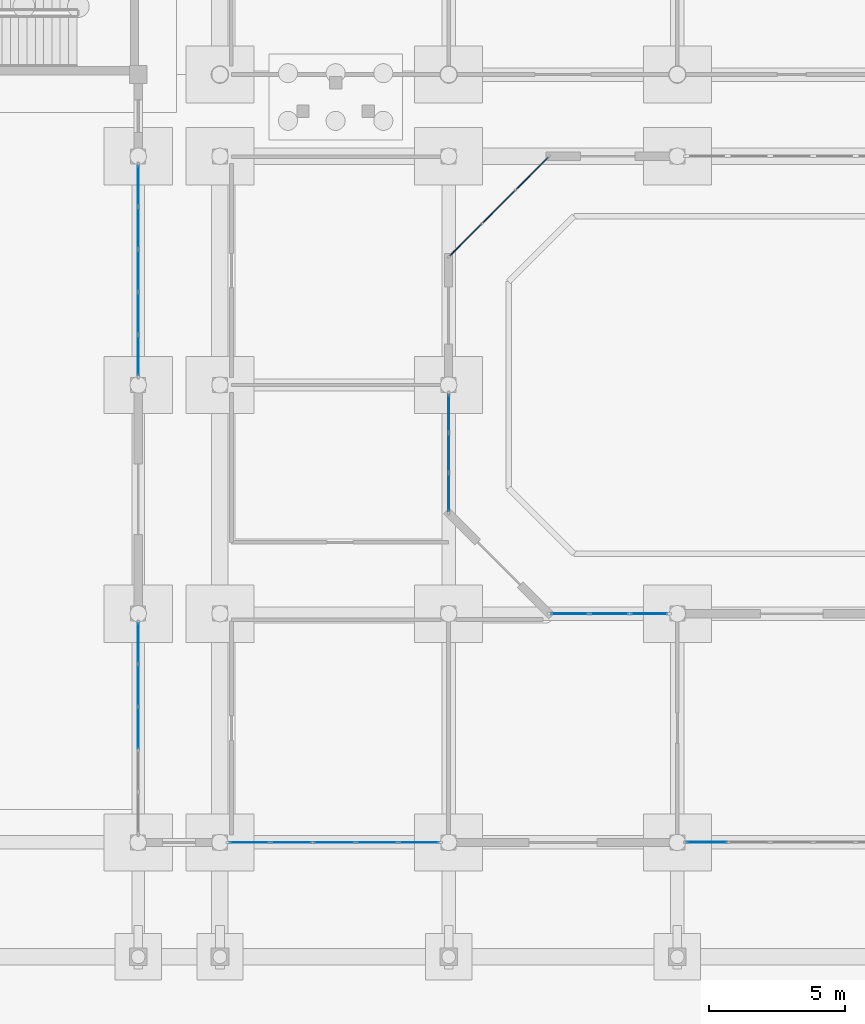
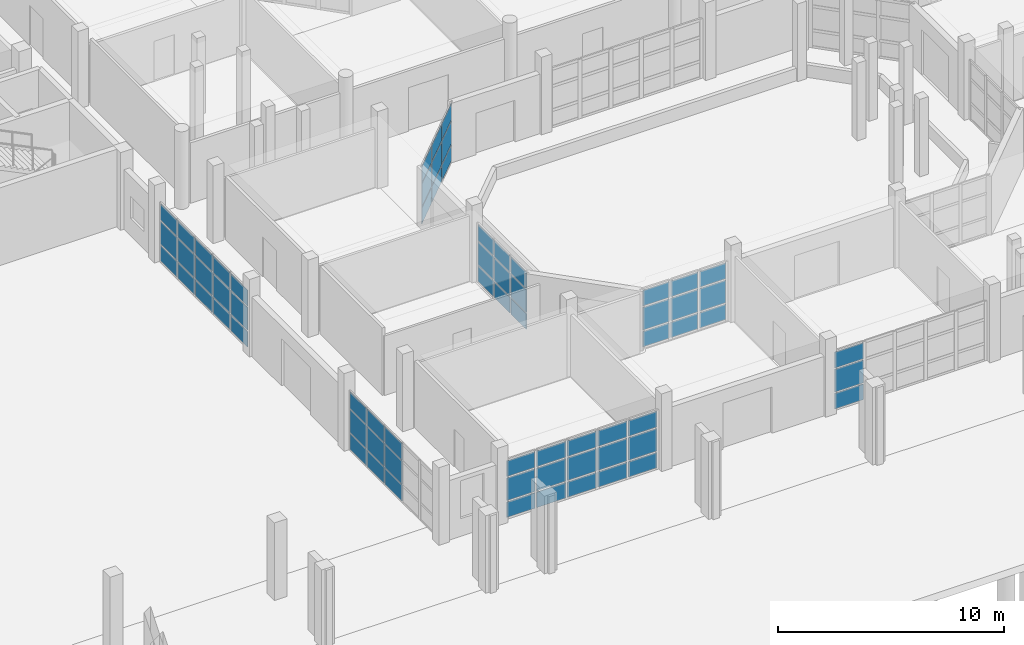
# One storey, part 44 of 88: 69 plates, 7 elements without a shape of their own.
"""IFC4 building model written with IfcOpenShell, lengths in metres."""

from ifc_helpers import new_model, si_unit, direction, frame, origin, origin_2d, place, context, subcontext, project, spatial, rectangle, extrude, material, layer, layer_set, type_object, element, aggregate, save


model = new_model("IFC4")

# Units and contexts
model_context = context("Model", 3, precision=1e-05, world=origin(), true_north=direction((0.0, 1.0)))
body_context = subcontext(model_context, "Body", "Model", "MODEL_VIEW")
ifc_project = project(units=[si_unit("LENGTHUNIT", "METRE"), si_unit("AREAUNIT", "SQUARE_METRE"), si_unit("VOLUMEUNIT", "CUBIC_METRE"), si_unit("PLANEANGLEUNIT", "RADIAN"), si_unit("MASSUNIT", "GRAM", prefix="KILO")], contexts=[model_context])

# Site, building, storey
site_placement = place(None, origin())
site = spatial("IfcSite", under=ifc_project, at=site_placement, CompositionType="ELEMENT")
building_placement = place(site_placement, origin())
building = spatial("IfcBuilding", under=site, at=building_placement, Name="Vanh Quang Courtyard School", CompositionType="ELEMENT")
storey_placement = place(building_placement, origin())
storey = spatial("IfcBuildingStorey", under=building, at=storey_placement, Name="L00", CompositionType="ELEMENT", Elevation=0.0)

# Curtain wall, plates
ifc_material_1 = material(Name="Thermally broken aluminium unitised curtain wall", Category="aluminium")
curtain_wall_type_1 = type_object("IfcCurtainWallType", Name="CW-SYS-01", PredefinedType="NOTDEFINED", material=ifc_material_1)
curtain_wall_1_placement = place(storey_placement, origin())
curtain_wall_1 = element("IfcCurtainWall", 1, at=curtain_wall_1_placement, inside=storey, type_object=curtain_wall_type_1, Name="Curtain Wall CW-01 (L00)", PredefinedType="NOTDEFINED")
ifc_material_2 = material(Name="Low-E laminated double glazing", Category="glass")
ifc_layer_1 = layer(ifc_material_2, 0.028076171875)
ifc_layer_set_1 = layer_set([ifc_layer_1], Name="Low-E laminated double glazing")
plate_type_1 = type_object("IfcPlateType", Name="CW-PNL-28", PredefinedType="CURTAIN_PANEL", material=ifc_layer_set_1)
plate_1_placement = place(storey_placement, frame((84.713623046875, 4.199951171875, 0.080078125), z_axis=(0.0, 0.0, 1.0), x_axis=(-1.0, 0.0, 0.0)))
plate_1 = element("IfcPlate", 2, at=plate_1_placement, type_object=plate_type_1, Name="CW-01 panel 1.1", PredefinedType="CURTAIN_PANEL", context=body_context, shape_type="SweptSolid", body=[
    extrude(rectangle(XDim=1.44677734375, YDim=0.028076171875, at=origin_2d()), origin(), (0.0, 0.0, 1.0), 0.830078125),
])
plate_2_placement = place(storey_placement, frame((84.713623046875, 4.199951171875, 0.990234375), z_axis=(0.0, 0.0, 1.0), x_axis=(-1.0, 0.0, 0.0)))
plate_2 = element("IfcPlate", 3, at=plate_2_placement, type_object=plate_type_1, Name="CW-01 panel 1.2", PredefinedType="CURTAIN_PANEL", context=body_context, shape_type="SweptSolid", body=[
    extrude(rectangle(XDim=1.44677734375, YDim=0.028076171875, at=origin_2d()), origin(), (0.0, 0.0, 1.0), 1.219970703125),
])
plate_3_placement = place(storey_placement, frame((84.713623046875, 4.199951171875, 2.2900390625), z_axis=(0.0, 0.0, 1.0), x_axis=(-1.0, 0.0, 0.0)))
plate_3 = element("IfcPlate", 4, at=plate_3_placement, type_object=plate_type_1, Name="CW-01 panel 1.3", PredefinedType="CURTAIN_PANEL", context=body_context, shape_type="SweptSolid", body=[
    extrude(rectangle(XDim=1.44677734375, YDim=0.028076171875, at=origin_2d()), origin(), (0.0, 0.0, 1.0), 0.85009765625),
])
plate_4_placement = place(storey_placement, frame((83.166748046875, 4.199951171875, 0.080078125), z_axis=(0.0, 0.0, 1.0), x_axis=(-1.0, 0.0, 0.0)))
plate_4 = element("IfcPlate", 5, at=plate_4_placement, type_object=plate_type_1, Name="CW-01 panel 2.1", PredefinedType="CURTAIN_PANEL", context=body_context, shape_type="SweptSolid", body=[
    extrude(rectangle(XDim=1.48681640625, YDim=0.028076171875, at=origin_2d()), origin(), (0.0, 0.0, 1.0), 0.830078125),
])
plate_5_placement = place(storey_placement, frame((83.166748046875, 4.199951171875, 0.990234375), z_axis=(0.0, 0.0, 1.0), x_axis=(-1.0, 0.0, 0.0)))
plate_5 = element("IfcPlate", 6, at=plate_5_placement, type_object=plate_type_1, Name="CW-01 panel 2.2", PredefinedType="CURTAIN_PANEL", context=body_context, shape_type="SweptSolid", body=[
    extrude(rectangle(XDim=1.48681640625, YDim=0.028076171875, at=origin_2d()), origin(), (0.0, 0.0, 1.0), 1.219970703125),
])
plate_6_placement = place(storey_placement, frame((83.166748046875, 4.199951171875, 2.2900390625), z_axis=(0.0, 0.0, 1.0), x_axis=(-1.0, 0.0, 0.0)))
plate_6 = element("IfcPlate", 7, at=plate_6_placement, type_object=plate_type_1, Name="CW-01 panel 2.3", PredefinedType="CURTAIN_PANEL", context=body_context, shape_type="SweptSolid", body=[
    extrude(rectangle(XDim=1.48681640625, YDim=0.028076171875, at=origin_2d()), origin(), (0.0, 0.0, 1.0), 0.85009765625),
])
plate_7_placement = place(storey_placement, frame((81.60009765625, 4.199951171875, 0.080078125), z_axis=(0.0, 0.0, 1.0), x_axis=(-1.0, 0.0, 0.0)))
plate_7 = element("IfcPlate", 8, at=plate_7_placement, type_object=plate_type_1, Name="CW-01 panel 3.1", PredefinedType="CURTAIN_PANEL", context=body_context, shape_type="SweptSolid", body=[
    extrude(rectangle(XDim=1.48681640625, YDim=0.028076171875, at=origin_2d()), origin(), (0.0, 0.0, 1.0), 0.830078125),
])
plate_8_placement = place(storey_placement, frame((81.60009765625, 4.199951171875, 0.990234375), z_axis=(0.0, 0.0, 1.0), x_axis=(-1.0, 0.0, 0.0)))
plate_8 = element("IfcPlate", 9, at=plate_8_placement, type_object=plate_type_1, Name="CW-01 panel 3.2", PredefinedType="CURTAIN_PANEL", context=body_context, shape_type="SweptSolid", body=[
    extrude(rectangle(XDim=1.48681640625, YDim=0.028076171875, at=origin_2d()), origin(), (0.0, 0.0, 1.0), 1.219970703125),
])
plate_9_placement = place(storey_placement, frame((81.60009765625, 4.199951171875, 2.2900390625), z_axis=(0.0, 0.0, 1.0), x_axis=(-1.0, 0.0, 0.0)))
plate_9 = element("IfcPlate", 10, at=plate_9_placement, type_object=plate_type_1, Name="CW-01 panel 3.3", PredefinedType="CURTAIN_PANEL", context=body_context, shape_type="SweptSolid", body=[
    extrude(rectangle(XDim=1.48681640625, YDim=0.028076171875, at=origin_2d()), origin(), (0.0, 0.0, 1.0), 0.85009765625),
])
plate_10_placement = place(storey_placement, frame((80.033203125, 4.199951171875, 0.080078125), z_axis=(0.0, 0.0, 1.0), x_axis=(-1.0, 0.0, 0.0)))
plate_10 = element("IfcPlate", 11, at=plate_10_placement, type_object=plate_type_1, Name="CW-01 panel 4.1", PredefinedType="CURTAIN_PANEL", context=body_context, shape_type="SweptSolid", body=[
    extrude(rectangle(XDim=1.48681640625, YDim=0.028076171875, at=origin_2d()), origin(), (0.0, 0.0, 1.0), 0.830078125),
])
plate_11_placement = place(storey_placement, frame((80.033203125, 4.199951171875, 0.990234375), z_axis=(0.0, 0.0, 1.0), x_axis=(-1.0, 0.0, 0.0)))
plate_11 = element("IfcPlate", 12, at=plate_11_placement, type_object=plate_type_1, Name="CW-01 panel 4.2", PredefinedType="CURTAIN_PANEL", context=body_context, shape_type="SweptSolid", body=[
    extrude(rectangle(XDim=1.48681640625, YDim=0.028076171875, at=origin_2d()), origin(), (0.0, 0.0, 1.0), 1.219970703125),
])
plate_12_placement = place(storey_placement, frame((80.033203125, 4.199951171875, 2.2900390625), z_axis=(0.0, 0.0, 1.0), x_axis=(-1.0, 0.0, 0.0)))
plate_12 = element("IfcPlate", 13, at=plate_12_placement, type_object=plate_type_1, Name="CW-01 panel 4.3", PredefinedType="CURTAIN_PANEL", context=body_context, shape_type="SweptSolid", body=[
    extrude(rectangle(XDim=1.48681640625, YDim=0.028076171875, at=origin_2d()), origin(), (0.0, 0.0, 1.0), 0.85009765625),
])
plate_13_placement = place(storey_placement, frame((78.486328125, 4.199951171875, 0.080078125), z_axis=(0.0, 0.0, 1.0), x_axis=(-1.0, 0.0, 0.0)))
plate_13 = element("IfcPlate", 14, at=plate_13_placement, type_object=plate_type_1, Name="CW-01 panel 5.1", PredefinedType="CURTAIN_PANEL", context=body_context, shape_type="SweptSolid", body=[
    extrude(rectangle(XDim=1.44677734375, YDim=0.028076171875, at=origin_2d()), origin(), (0.0, 0.0, 1.0), 0.830078125),
])
plate_14_placement = place(storey_placement, frame((78.486328125, 4.199951171875, 0.990234375), z_axis=(0.0, 0.0, 1.0), x_axis=(-1.0, 0.0, 0.0)))
plate_14 = element("IfcPlate", 15, at=plate_14_placement, type_object=plate_type_1, Name="CW-01 panel 5.2", PredefinedType="CURTAIN_PANEL", context=body_context, shape_type="SweptSolid", body=[
    extrude(rectangle(XDim=1.44677734375, YDim=0.028076171875, at=origin_2d()), origin(), (0.0, 0.0, 1.0), 1.219970703125),
])
plate_15_placement = place(storey_placement, frame((78.486328125, 4.199951171875, 2.2900390625), z_axis=(0.0, 0.0, 1.0), x_axis=(-1.0, 0.0, 0.0)))
plate_15 = element("IfcPlate", 16, at=plate_15_placement, type_object=plate_type_1, Name="CW-01 panel 5.3", PredefinedType="CURTAIN_PANEL", context=body_context, shape_type="SweptSolid", body=[
    extrude(rectangle(XDim=1.44677734375, YDim=0.028076171875, at=origin_2d()), origin(), (0.0, 0.0, 1.0), 0.85009765625),
])
aggregate(curtain_wall_1, [plate_1, plate_2, plate_3, plate_4, plate_5, plate_6, plate_7, plate_8, plate_9, plate_10, plate_11, plate_12, plate_13, plate_14, plate_15])

curtain_wall_2_placement = place(storey_placement, origin())
curtain_wall_2 = element("IfcCurtainWall", 17, at=curtain_wall_2_placement, inside=storey, type_object=curtain_wall_type_1, Name="Curtain Wall CW-01 (L00)", PredefinedType="NOTDEFINED")
plate_16_placement = place(storey_placement, frame((74.39990234375, 22.083984375, 0.06982421875), z_axis=(0.0, 0.0, 1.0), x_axis=(0.0, 1.0, 0.0)))
plate_16 = element("IfcPlate", 18, at=plate_16_placement, type_object=plate_type_1, Name="CW-01 panel 1.1", PredefinedType="CURTAIN_PANEL", context=body_context, shape_type="SweptSolid", body=[
    extrude(rectangle(XDim=1.4619140625, YDim=0.028076171875, at=origin_2d()), origin(), (0.0, 0.0, 1.0), 0.844970703125),
])
plate_17_placement = place(storey_placement, frame((74.39990234375, 22.083984375, 0.985107421875), z_axis=(0.0, 0.0, 1.0), x_axis=(0.0, 1.0, 0.0)))
plate_17 = element("IfcPlate", 19, at=plate_17_placement, type_object=plate_type_1, Name="CW-01 panel 1.2", PredefinedType="CURTAIN_PANEL", context=body_context, shape_type="SweptSolid", body=[
    extrude(rectangle(XDim=1.4619140625, YDim=0.028076171875, at=origin_2d()), origin(), (0.0, 0.0, 1.0), 1.22998046875),
])
plate_18_placement = place(storey_placement, frame((74.39990234375, 22.083984375, 2.28515625), z_axis=(0.0, 0.0, 1.0), x_axis=(0.0, 1.0, 0.0)))
plate_18 = element("IfcPlate", 20, at=plate_18_placement, type_object=plate_type_1, Name="CW-01 panel 1.3", PredefinedType="CURTAIN_PANEL", context=body_context, shape_type="SweptSolid", body=[
    extrude(rectangle(XDim=1.4619140625, YDim=0.028076171875, at=origin_2d()), origin(), (0.0, 0.0, 1.0), 0.864990234375),
])
plate_19_placement = place(storey_placement, frame((74.39990234375, 23.63330078125, 0.06982421875), z_axis=(0.0, 0.0, 1.0), x_axis=(0.0, 1.0, 0.0)))
plate_19 = element("IfcPlate", 21, at=plate_19_placement, type_object=plate_type_1, Name="CW-01 panel 2.1", PredefinedType="CURTAIN_PANEL", context=body_context, shape_type="SweptSolid", body=[
    extrude(rectangle(XDim=1.496826171875, YDim=0.028076171875, at=origin_2d()), origin(), (0.0, 0.0, 1.0), 0.844970703125),
])
plate_20_placement = place(storey_placement, frame((74.39990234375, 23.63330078125, 0.985107421875), z_axis=(0.0, 0.0, 1.0), x_axis=(0.0, 1.0, 0.0)))
plate_20 = element("IfcPlate", 22, at=plate_20_placement, type_object=plate_type_1, Name="CW-01 panel 2.2", PredefinedType="CURTAIN_PANEL", context=body_context, shape_type="SweptSolid", body=[
    extrude(rectangle(XDim=1.496826171875, YDim=0.028076171875, at=origin_2d()), origin(), (0.0, 0.0, 1.0), 1.22998046875),
])
plate_21_placement = place(storey_placement, frame((74.39990234375, 23.63330078125, 2.28515625), z_axis=(0.0, 0.0, 1.0), x_axis=(0.0, 1.0, 0.0)))
plate_21 = element("IfcPlate", 23, at=plate_21_placement, type_object=plate_type_1, Name="CW-01 panel 2.3", PredefinedType="CURTAIN_PANEL", context=body_context, shape_type="SweptSolid", body=[
    extrude(rectangle(XDim=1.496826171875, YDim=0.028076171875, at=origin_2d()), origin(), (0.0, 0.0, 1.0), 0.864990234375),
])
plate_22_placement = place(storey_placement, frame((74.39990234375, 25.199951171875, 0.06982421875), z_axis=(0.0, 0.0, 1.0), x_axis=(0.0, 1.0, 0.0)))
plate_22 = element("IfcPlate", 24, at=plate_22_placement, type_object=plate_type_1, Name="CW-01 panel 3.1", PredefinedType="CURTAIN_PANEL", context=body_context, shape_type="SweptSolid", body=[
    extrude(rectangle(XDim=1.496826171875, YDim=0.028076171875, at=origin_2d()), origin(), (0.0, 0.0, 1.0), 0.844970703125),
])
plate_23_placement = place(storey_placement, frame((74.39990234375, 25.199951171875, 0.985107421875), z_axis=(0.0, 0.0, 1.0), x_axis=(0.0, 1.0, 0.0)))
plate_23 = element("IfcPlate", 25, at=plate_23_placement, type_object=plate_type_1, Name="CW-01 panel 3.2", PredefinedType="CURTAIN_PANEL", context=body_context, shape_type="SweptSolid", body=[
    extrude(rectangle(XDim=1.496826171875, YDim=0.028076171875, at=origin_2d()), origin(), (0.0, 0.0, 1.0), 1.22998046875),
])
plate_24_placement = place(storey_placement, frame((74.39990234375, 25.199951171875, 2.28515625), z_axis=(0.0, 0.0, 1.0), x_axis=(0.0, 1.0, 0.0)))
plate_24 = element("IfcPlate", 26, at=plate_24_placement, type_object=plate_type_1, Name="CW-01 panel 3.3", PredefinedType="CURTAIN_PANEL", context=body_context, shape_type="SweptSolid", body=[
    extrude(rectangle(XDim=1.496826171875, YDim=0.028076171875, at=origin_2d()), origin(), (0.0, 0.0, 1.0), 0.864990234375),
])
plate_25_placement = place(storey_placement, frame((74.39990234375, 26.766845703125, 0.06982421875), z_axis=(0.0, 0.0, 1.0), x_axis=(0.0, 1.0, 0.0)))
plate_25 = element("IfcPlate", 27, at=plate_25_placement, type_object=plate_type_1, Name="CW-01 panel 4.1", PredefinedType="CURTAIN_PANEL", context=body_context, shape_type="SweptSolid", body=[
    extrude(rectangle(XDim=1.496826171875, YDim=0.028076171875, at=origin_2d()), origin(), (0.0, 0.0, 1.0), 0.844970703125),
])
plate_26_placement = place(storey_placement, frame((74.39990234375, 26.766845703125, 0.985107421875), z_axis=(0.0, 0.0, 1.0), x_axis=(0.0, 1.0, 0.0)))
plate_26 = element("IfcPlate", 28, at=plate_26_placement, type_object=plate_type_1, Name="CW-01 panel 4.2", PredefinedType="CURTAIN_PANEL", context=body_context, shape_type="SweptSolid", body=[
    extrude(rectangle(XDim=1.496826171875, YDim=0.028076171875, at=origin_2d()), origin(), (0.0, 0.0, 1.0), 1.22998046875),
])
plate_27_placement = place(storey_placement, frame((74.39990234375, 26.766845703125, 2.28515625), z_axis=(0.0, 0.0, 1.0), x_axis=(0.0, 1.0, 0.0)))
plate_27 = element("IfcPlate", 29, at=plate_27_placement, type_object=plate_type_1, Name="CW-01 panel 4.3", PredefinedType="CURTAIN_PANEL", context=body_context, shape_type="SweptSolid", body=[
    extrude(rectangle(XDim=1.496826171875, YDim=0.028076171875, at=origin_2d()), origin(), (0.0, 0.0, 1.0), 0.864990234375),
])
plate_28_placement = place(storey_placement, frame((74.39990234375, 28.316162109375, 0.06982421875), z_axis=(0.0, 0.0, 1.0), x_axis=(0.0, 1.0, 0.0)))
plate_28 = element("IfcPlate", 30, at=plate_28_placement, type_object=plate_type_1, Name="CW-01 panel 5.1", PredefinedType="CURTAIN_PANEL", context=body_context, shape_type="SweptSolid", body=[
    extrude(rectangle(XDim=1.4619140625, YDim=0.028076171875, at=origin_2d()), origin(), (0.0, 0.0, 1.0), 0.844970703125),
])
plate_29_placement = place(storey_placement, frame((74.39990234375, 28.316162109375, 0.985107421875), z_axis=(0.0, 0.0, 1.0), x_axis=(0.0, 1.0, 0.0)))
plate_29 = element("IfcPlate", 31, at=plate_29_placement, type_object=plate_type_1, Name="CW-01 panel 5.2", PredefinedType="CURTAIN_PANEL", context=body_context, shape_type="SweptSolid", body=[
    extrude(rectangle(XDim=1.4619140625, YDim=0.028076171875, at=origin_2d()), origin(), (0.0, 0.0, 1.0), 1.22998046875),
])
plate_30_placement = place(storey_placement, frame((74.39990234375, 28.316162109375, 2.28515625), z_axis=(0.0, 0.0, 1.0), x_axis=(0.0, 1.0, 0.0)))
plate_30 = element("IfcPlate", 32, at=plate_30_placement, type_object=plate_type_1, Name="CW-01 panel 5.3", PredefinedType="CURTAIN_PANEL", context=body_context, shape_type="SweptSolid", body=[
    extrude(rectangle(XDim=1.4619140625, YDim=0.028076171875, at=origin_2d()), origin(), (0.0, 0.0, 1.0), 0.864990234375),
])
aggregate(curtain_wall_2, [plate_16, plate_17, plate_18, plate_19, plate_20, plate_21, plate_22, plate_23, plate_24, plate_25, plate_26, plate_27, plate_28, plate_29, plate_30])

curtain_wall_type_2 = type_object("IfcCurtainWallType", Name="CW-SYS-09", PredefinedType="NOTDEFINED", material=ifc_material_1)
curtain_wall_3_placement = place(storey_placement, origin())
curtain_wall_3 = element("IfcCurtainWall", 33, at=curtain_wall_3_placement, inside=storey, type_object=curtain_wall_type_2, Name="Curtain Wall CW-09 (L00)", PredefinedType="NOTDEFINED")
plate_31_placement = place(storey_placement, frame((88.869384765625, 28.7734375, 0.06005859375), z_axis=(0.0, 0.0, 1.0), x_axis=(-0.707106781187, -0.707106781187, 0.0)))
plate_31 = element("IfcPlate", 34, at=plate_31_placement, type_object=plate_type_1, Name="CW-09 panel 1.1", PredefinedType="CURTAIN_PANEL", context=body_context, shape_type="SweptSolid", body=[
    extrude(rectangle(XDim=1.65234375, YDim=0.028076171875, at=origin_2d()), origin(), (0.0, 0.0, 1.0), 0.860107421875),
])
plate_32_placement = place(storey_placement, frame((88.869384765625, 28.7734375, 0.97998046875), z_axis=(0.0, 0.0, 1.0), x_axis=(-0.707106781187, -0.707106781187, 0.0)))
plate_32 = element("IfcPlate", 35, at=plate_32_placement, type_object=plate_type_1, Name="CW-09 panel 1.2", PredefinedType="CURTAIN_PANEL", context=body_context, shape_type="SweptSolid", body=[
    extrude(rectangle(XDim=1.65234375, YDim=0.028076171875, at=origin_2d()), origin(), (0.0, 0.0, 1.0), 1.239990234375),
])
plate_33_placement = place(storey_placement, frame((88.869384765625, 28.7734375, 2.280029296875), z_axis=(0.0, 0.0, 1.0), x_axis=(-0.707106781187, -0.707106781187, 0.0)))
plate_33 = element("IfcPlate", 36, at=plate_33_placement, type_object=plate_type_1, Name="CW-09 panel 1.3", PredefinedType="CURTAIN_PANEL", context=body_context, shape_type="SweptSolid", body=[
    extrude(rectangle(XDim=1.65234375, YDim=0.028076171875, at=origin_2d()), origin(), (0.0, 0.0, 1.0), 0.8798828125),
])
plate_34_placement = place(storey_placement, frame((87.64794921875, 27.552001953125, 0.06005859375), z_axis=(0.0, 0.0, 1.0), x_axis=(-0.707106781187, -0.707106781187, 0.0)))
plate_34 = element("IfcPlate", 37, at=plate_34_placement, type_object=plate_type_1, Name="CW-09 panel 2.1", PredefinedType="CURTAIN_PANEL", context=body_context, shape_type="SweptSolid", body=[
    extrude(rectangle(XDim=1.682373046875, YDim=0.028076171875, at=origin_2d()), origin(), (0.0, 0.0, 1.0), 0.860107421875),
])
plate_35_placement = place(storey_placement, frame((87.64794921875, 27.552001953125, 0.97998046875), z_axis=(0.0, 0.0, 1.0), x_axis=(-0.707106781187, -0.707106781187, 0.0)))
plate_35 = element("IfcPlate", 38, at=plate_35_placement, type_object=plate_type_1, Name="CW-09 panel 2.2", PredefinedType="CURTAIN_PANEL", context=body_context, shape_type="SweptSolid", body=[
    extrude(rectangle(XDim=1.682373046875, YDim=0.028076171875, at=origin_2d()), origin(), (0.0, 0.0, 1.0), 1.239990234375),
])
plate_36_placement = place(storey_placement, frame((87.64794921875, 27.552001953125, 2.280029296875), z_axis=(0.0, 0.0, 1.0), x_axis=(-0.707106781187, -0.707106781187, 0.0)))
plate_36 = element("IfcPlate", 39, at=plate_36_placement, type_object=plate_type_1, Name="CW-09 panel 2.3", PredefinedType="CURTAIN_PANEL", context=body_context, shape_type="SweptSolid", body=[
    extrude(rectangle(XDim=1.682373046875, YDim=0.028076171875, at=origin_2d()), origin(), (0.0, 0.0, 1.0), 0.8798828125),
])
plate_37_placement = place(storey_placement, frame((86.426513671875, 26.33056640625, 0.06005859375), z_axis=(0.0, 0.0, 1.0), x_axis=(-0.707106781187, -0.707106781187, 0.0)))
plate_37 = element("IfcPlate", 40, at=plate_37_placement, type_object=plate_type_1, Name="CW-09 panel 3.1", PredefinedType="CURTAIN_PANEL", context=body_context, shape_type="SweptSolid", body=[
    extrude(rectangle(XDim=1.65234375, YDim=0.028076171875, at=origin_2d()), origin(), (0.0, 0.0, 1.0), 0.860107421875),
])
plate_38_placement = place(storey_placement, frame((86.426513671875, 26.33056640625, 0.97998046875), z_axis=(0.0, 0.0, 1.0), x_axis=(-0.707106781187, -0.707106781187, 0.0)))
plate_38 = element("IfcPlate", 41, at=plate_38_placement, type_object=plate_type_1, Name="CW-09 panel 3.2", PredefinedType="CURTAIN_PANEL", context=body_context, shape_type="SweptSolid", body=[
    extrude(rectangle(XDim=1.65234375, YDim=0.028076171875, at=origin_2d()), origin(), (0.0, 0.0, 1.0), 1.239990234375),
])
plate_39_placement = place(storey_placement, frame((86.426513671875, 26.33056640625, 2.280029296875), z_axis=(0.0, 0.0, 1.0), x_axis=(-0.707106781187, -0.707106781187, 0.0)))
plate_39 = element("IfcPlate", 42, at=plate_39_placement, type_object=plate_type_1, Name="CW-09 panel 3.3", PredefinedType="CURTAIN_PANEL", context=body_context, shape_type="SweptSolid", body=[
    extrude(rectangle(XDim=1.65234375, YDim=0.028076171875, at=origin_2d()), origin(), (0.0, 0.0, 1.0), 0.8798828125),
])
aggregate(curtain_wall_3, [plate_31, plate_32, plate_33, plate_34, plate_35, plate_36, plate_37, plate_38, plate_39])

curtain_wall_type_3 = type_object("IfcCurtainWallType", Name="CW-SYS-10", PredefinedType="NOTDEFINED", material=ifc_material_1)
curtain_wall_4_placement = place(storey_placement, origin())
curtain_wall_4 = element("IfcCurtainWall", 43, at=curtain_wall_4_placement, inside=storey, type_object=curtain_wall_type_3, Name="Curtain Wall CW-10 (L00)", PredefinedType="NOTDEFINED")
plate_40_placement = place(storey_placement, frame((90.2529296875, 12.60009765625, 0.080078125), z_axis=(0.0, 0.0, 1.0), x_axis=(1.0, 0.0, 0.0)))
plate_40 = element("IfcPlate", 44, at=plate_40_placement, type_object=plate_type_1, Name="CW-10 panel 1.1", PredefinedType="CURTAIN_PANEL", context=body_context, shape_type="SweptSolid", body=[
    extrude(rectangle(XDim=1.353759765625, YDim=0.028076171875, at=origin_2d()), origin(), (0.0, 0.0, 1.0), 0.830078125),
])
plate_41_placement = place(storey_placement, frame((90.2529296875, 12.60009765625, 0.990234375), z_axis=(0.0, 0.0, 1.0), x_axis=(1.0, 0.0, 0.0)))
plate_41 = element("IfcPlate", 45, at=plate_41_placement, type_object=plate_type_1, Name="CW-10 panel 1.2", PredefinedType="CURTAIN_PANEL", context=body_context, shape_type="SweptSolid", body=[
    extrude(rectangle(XDim=1.353759765625, YDim=0.028076171875, at=origin_2d()), origin(), (0.0, 0.0, 1.0), 1.219970703125),
])
plate_42_placement = place(storey_placement, frame((90.2529296875, 12.60009765625, 2.2900390625), z_axis=(0.0, 0.0, 1.0), x_axis=(1.0, 0.0, 0.0)))
plate_42 = element("IfcPlate", 46, at=plate_42_placement, type_object=plate_type_1, Name="CW-10 panel 1.3", PredefinedType="CURTAIN_PANEL", context=body_context, shape_type="SweptSolid", body=[
    extrude(rectangle(XDim=1.353759765625, YDim=0.028076171875, at=origin_2d()), origin(), (0.0, 0.0, 1.0), 0.85009765625),
])
plate_43_placement = place(storey_placement, frame((91.70654296875, 12.60009765625, 0.080078125), z_axis=(0.0, 0.0, 1.0), x_axis=(1.0, 0.0, 0.0)))
plate_43 = element("IfcPlate", 47, at=plate_43_placement, type_object=plate_type_1, Name="CW-10 panel 2.1", PredefinedType="CURTAIN_PANEL", context=body_context, shape_type="SweptSolid", body=[
    extrude(rectangle(XDim=1.3935546875, YDim=0.028076171875, at=origin_2d()), origin(), (0.0, 0.0, 1.0), 0.830078125),
])
plate_44_placement = place(storey_placement, frame((91.70654296875, 12.60009765625, 0.990234375), z_axis=(0.0, 0.0, 1.0), x_axis=(1.0, 0.0, 0.0)))
plate_44 = element("IfcPlate", 48, at=plate_44_placement, type_object=plate_type_1, Name="CW-10 panel 2.2", PredefinedType="CURTAIN_PANEL", context=body_context, shape_type="SweptSolid", body=[
    extrude(rectangle(XDim=1.3935546875, YDim=0.028076171875, at=origin_2d()), origin(), (0.0, 0.0, 1.0), 1.219970703125),
])
plate_45_placement = place(storey_placement, frame((91.70654296875, 12.60009765625, 2.2900390625), z_axis=(0.0, 0.0, 1.0), x_axis=(1.0, 0.0, 0.0)))
plate_45 = element("IfcPlate", 49, at=plate_45_placement, type_object=plate_type_1, Name="CW-10 panel 2.3", PredefinedType="CURTAIN_PANEL", context=body_context, shape_type="SweptSolid", body=[
    extrude(rectangle(XDim=1.3935546875, YDim=0.028076171875, at=origin_2d()), origin(), (0.0, 0.0, 1.0), 0.85009765625),
])
plate_46_placement = place(storey_placement, frame((93.16015625, 12.60009765625, 0.080078125), z_axis=(0.0, 0.0, 1.0), x_axis=(1.0, 0.0, 0.0)))
plate_46 = element("IfcPlate", 50, at=plate_46_placement, type_object=plate_type_1, Name="CW-10 panel 3.1", PredefinedType="CURTAIN_PANEL", context=body_context, shape_type="SweptSolid", body=[
    extrude(rectangle(XDim=1.353759765625, YDim=0.028076171875, at=origin_2d()), origin(), (0.0, 0.0, 1.0), 0.830078125),
])
plate_47_placement = place(storey_placement, frame((93.16015625, 12.60009765625, 0.990234375), z_axis=(0.0, 0.0, 1.0), x_axis=(1.0, 0.0, 0.0)))
plate_47 = element("IfcPlate", 51, at=plate_47_placement, type_object=plate_type_1, Name="CW-10 panel 3.2", PredefinedType="CURTAIN_PANEL", context=body_context, shape_type="SweptSolid", body=[
    extrude(rectangle(XDim=1.353759765625, YDim=0.028076171875, at=origin_2d()), origin(), (0.0, 0.0, 1.0), 1.219970703125),
])
plate_48_placement = place(storey_placement, frame((93.16015625, 12.60009765625, 2.2900390625), z_axis=(0.0, 0.0, 1.0), x_axis=(1.0, 0.0, 0.0)))
plate_48 = element("IfcPlate", 52, at=plate_48_placement, type_object=plate_type_1, Name="CW-10 panel 3.3", PredefinedType="CURTAIN_PANEL", context=body_context, shape_type="SweptSolid", body=[
    extrude(rectangle(XDim=1.353759765625, YDim=0.028076171875, at=origin_2d()), origin(), (0.0, 0.0, 1.0), 0.85009765625),
])
aggregate(curtain_wall_4, [plate_40, plate_41, plate_42, plate_43, plate_44, plate_45, plate_46, plate_47, plate_48])

curtain_wall_5_placement = place(storey_placement, origin())
curtain_wall_5 = element("IfcCurtainWall", 53, at=curtain_wall_5_placement, inside=storey, type_object=curtain_wall_type_1, Name="Curtain Wall CW-01 (L00)", PredefinedType="NOTDEFINED")
ifc_layer_2 = layer(ifc_material_2, 0.031982421875)
ifc_layer_set_2 = layer_set([ifc_layer_2], Name="Low-E laminated double glazing")
plate_type_2 = type_object("IfcPlateType", Name="CW-PNL-32", PredefinedType="CURTAIN_PANEL", material=ifc_layer_set_2)
plate_49_placement = place(storey_placement, frame((95.283935546875, 4.199951171875, 0.06982421875), z_axis=(0.0, 0.0, 1.0), x_axis=(-1.0, 0.0, 0.0)))
plate_49 = element("IfcPlate", 54, at=plate_49_placement, type_object=plate_type_2, Name="CW-01 panel 5.1", PredefinedType="CURTAIN_PANEL", context=body_context, shape_type="SweptSolid", body=[
    extrude(rectangle(XDim=1.4619140625, YDim=0.031982421875, at=origin_2d()), origin(), (0.0, 0.0, 1.0), 0.844970703125),
])
plate_50_placement = place(storey_placement, frame((95.283935546875, 4.199951171875, 0.985107421875), z_axis=(0.0, 0.0, 1.0), x_axis=(-1.0, 0.0, 0.0)))
plate_50 = element("IfcPlate", 55, at=plate_50_placement, type_object=plate_type_2, Name="CW-01 panel 5.2", PredefinedType="CURTAIN_PANEL", context=body_context, shape_type="SweptSolid", body=[
    extrude(rectangle(XDim=1.4619140625, YDim=0.031982421875, at=origin_2d()), origin(), (0.0, 0.0, 1.0), 1.22998046875),
])
plate_51_placement = place(storey_placement, frame((95.283935546875, 4.199951171875, 2.28515625), z_axis=(0.0, 0.0, 1.0), x_axis=(-1.0, 0.0, 0.0)))
plate_51 = element("IfcPlate", 56, at=plate_51_placement, type_object=plate_type_2, Name="CW-01 panel 5.3", PredefinedType="CURTAIN_PANEL", context=body_context, shape_type="SweptSolid", body=[
    extrude(rectangle(XDim=1.4619140625, YDim=0.031982421875, at=origin_2d()), origin(), (0.0, 0.0, 1.0), 0.864990234375),
])
aggregate(curtain_wall_5, [plate_49, plate_50, plate_51])

curtain_wall_6_placement = place(storey_placement, origin())
curtain_wall_6 = element("IfcCurtainWall", 57, at=curtain_wall_6_placement, inside=storey, type_object=curtain_wall_type_1, Name="Curtain Wall CW-01 (L00)", PredefinedType="NOTDEFINED")
plate_52_placement = place(storey_placement, frame((74.39990234375, 8.39990234375, 0.06005859375), z_axis=(0.0, 0.0, 1.0), x_axis=(0.0, 1.0, 0.0)))
plate_52 = element("IfcPlate", 58, at=plate_52_placement, type_object=plate_type_2, Name="CW-01 panel 3.1", PredefinedType="CURTAIN_PANEL", context=body_context, shape_type="SweptSolid", body=[
    extrude(rectangle(XDim=1.5068359375, YDim=0.031982421875, at=origin_2d()), origin(), (0.0, 0.0, 1.0), 0.860107421875),
])
plate_53_placement = place(storey_placement, frame((74.39990234375, 8.39990234375, 0.97998046875), z_axis=(0.0, 0.0, 1.0), x_axis=(0.0, 1.0, 0.0)))
plate_53 = element("IfcPlate", 59, at=plate_53_placement, type_object=plate_type_2, Name="CW-01 panel 3.2", PredefinedType="CURTAIN_PANEL", context=body_context, shape_type="SweptSolid", body=[
    extrude(rectangle(XDim=1.5068359375, YDim=0.031982421875, at=origin_2d()), origin(), (0.0, 0.0, 1.0), 1.239990234375),
])
plate_54_placement = place(storey_placement, frame((74.39990234375, 8.39990234375, 2.280029296875), z_axis=(0.0, 0.0, 1.0), x_axis=(0.0, 1.0, 0.0)))
plate_54 = element("IfcPlate", 60, at=plate_54_placement, type_object=plate_type_2, Name="CW-01 panel 3.3", PredefinedType="CURTAIN_PANEL", context=body_context, shape_type="SweptSolid", body=[
    extrude(rectangle(XDim=1.5068359375, YDim=0.031982421875, at=origin_2d()), origin(), (0.0, 0.0, 1.0), 0.8798828125),
])
plate_55_placement = place(storey_placement, frame((74.39990234375, 9.966796875, 0.06005859375), z_axis=(0.0, 0.0, 1.0), x_axis=(0.0, 1.0, 0.0)))
plate_55 = element("IfcPlate", 61, at=plate_55_placement, type_object=plate_type_2, Name="CW-01 panel 4.1", PredefinedType="CURTAIN_PANEL", context=body_context, shape_type="SweptSolid", body=[
    extrude(rectangle(XDim=1.5068359375, YDim=0.031982421875, at=origin_2d()), origin(), (0.0, 0.0, 1.0), 0.860107421875),
])
plate_56_placement = place(storey_placement, frame((74.39990234375, 9.966796875, 0.97998046875), z_axis=(0.0, 0.0, 1.0), x_axis=(0.0, 1.0, 0.0)))
plate_56 = element("IfcPlate", 62, at=plate_56_placement, type_object=plate_type_2, Name="CW-01 panel 4.2", PredefinedType="CURTAIN_PANEL", context=body_context, shape_type="SweptSolid", body=[
    extrude(rectangle(XDim=1.5068359375, YDim=0.031982421875, at=origin_2d()), origin(), (0.0, 0.0, 1.0), 1.239990234375),
])
plate_57_placement = place(storey_placement, frame((74.39990234375, 9.966796875, 2.280029296875), z_axis=(0.0, 0.0, 1.0), x_axis=(0.0, 1.0, 0.0)))
plate_57 = element("IfcPlate", 63, at=plate_57_placement, type_object=plate_type_2, Name="CW-01 panel 4.3", PredefinedType="CURTAIN_PANEL", context=body_context, shape_type="SweptSolid", body=[
    extrude(rectangle(XDim=1.5068359375, YDim=0.031982421875, at=origin_2d()), origin(), (0.0, 0.0, 1.0), 0.8798828125),
])
plate_58_placement = place(storey_placement, frame((74.39990234375, 11.5185546875, 0.06005859375), z_axis=(0.0, 0.0, 1.0), x_axis=(0.0, 1.0, 0.0)))
plate_58 = element("IfcPlate", 64, at=plate_58_placement, type_object=plate_type_2, Name="CW-01 panel 5.1", PredefinedType="CURTAIN_PANEL", context=body_context, shape_type="SweptSolid", body=[
    extrude(rectangle(XDim=1.476806640625, YDim=0.031982421875, at=origin_2d()), origin(), (0.0, 0.0, 1.0), 0.860107421875),
])
plate_59_placement = place(storey_placement, frame((74.39990234375, 11.5185546875, 0.97998046875), z_axis=(0.0, 0.0, 1.0), x_axis=(0.0, 1.0, 0.0)))
plate_59 = element("IfcPlate", 65, at=plate_59_placement, type_object=plate_type_2, Name="CW-01 panel 5.2", PredefinedType="CURTAIN_PANEL", context=body_context, shape_type="SweptSolid", body=[
    extrude(rectangle(XDim=1.476806640625, YDim=0.031982421875, at=origin_2d()), origin(), (0.0, 0.0, 1.0), 1.239990234375),
])
plate_60_placement = place(storey_placement, frame((74.39990234375, 11.5185546875, 2.280029296875), z_axis=(0.0, 0.0, 1.0), x_axis=(0.0, 1.0, 0.0)))
plate_60 = element("IfcPlate", 66, at=plate_60_placement, type_object=plate_type_2, Name="CW-01 panel 5.3", PredefinedType="CURTAIN_PANEL", context=body_context, shape_type="SweptSolid", body=[
    extrude(rectangle(XDim=1.476806640625, YDim=0.031982421875, at=origin_2d()), origin(), (0.0, 0.0, 1.0), 0.8798828125),
])
aggregate(curtain_wall_6, [plate_52, plate_53, plate_54, plate_55, plate_56, plate_57, plate_58, plate_59, plate_60])

curtain_wall_7_placement = place(storey_placement, origin())
curtain_wall_7 = element("IfcCurtainWall", 67, at=curtain_wall_7_placement, inside=storey, type_object=curtain_wall_type_3, Name="Curtain Wall CW-10 (L00)", PredefinedType="NOTDEFINED")
plate_61_placement = place(storey_placement, frame((85.800048828125, 19.962646484375, 0.06982421875), z_axis=(0.0, 0.0, 1.0), x_axis=(0.0, -1.0, 0.0)))
plate_61 = element("IfcPlate", 68, at=plate_61_placement, type_object=plate_type_2, Name="CW-10 panel 1.1", PredefinedType="CURTAIN_PANEL", context=body_context, shape_type="SweptSolid", body=[
    extrude(rectangle(XDim=1.36865234375, YDim=0.031982421875, at=origin_2d()), origin(), (0.0, 0.0, 1.0), 0.844970703125),
])
plate_62_placement = place(storey_placement, frame((85.800048828125, 19.962646484375, 0.985107421875), z_axis=(0.0, 0.0, 1.0), x_axis=(0.0, -1.0, 0.0)))
plate_62 = element("IfcPlate", 69, at=plate_62_placement, type_object=plate_type_2, Name="CW-10 panel 1.2", PredefinedType="CURTAIN_PANEL", context=body_context, shape_type="SweptSolid", body=[
    extrude(rectangle(XDim=1.36865234375, YDim=0.031982421875, at=origin_2d()), origin(), (0.0, 0.0, 1.0), 1.22998046875),
])
plate_63_placement = place(storey_placement, frame((85.800048828125, 19.962646484375, 2.28515625), z_axis=(0.0, 0.0, 1.0), x_axis=(0.0, -1.0, 0.0)))
plate_63 = element("IfcPlate", 70, at=plate_63_placement, type_object=plate_type_2, Name="CW-10 panel 1.3", PredefinedType="CURTAIN_PANEL", context=body_context, shape_type="SweptSolid", body=[
    extrude(rectangle(XDim=1.36865234375, YDim=0.031982421875, at=origin_2d()), origin(), (0.0, 0.0, 1.0), 0.864990234375),
])
plate_64_placement = place(storey_placement, frame((85.800048828125, 18.506591796875, 0.06982421875), z_axis=(0.0, 0.0, 1.0), x_axis=(0.0, -1.0, 0.0)))
plate_64 = element("IfcPlate", 71, at=plate_64_placement, type_object=plate_type_2, Name="CW-10 panel 2.1", PredefinedType="CURTAIN_PANEL", context=body_context, shape_type="SweptSolid", body=[
    extrude(rectangle(XDim=1.403564453125, YDim=0.031982421875, at=origin_2d()), origin(), (0.0, 0.0, 1.0), 0.844970703125),
])
plate_65_placement = place(storey_placement, frame((85.800048828125, 18.506591796875, 0.985107421875), z_axis=(0.0, 0.0, 1.0), x_axis=(0.0, -1.0, 0.0)))
plate_65 = element("IfcPlate", 72, at=plate_65_placement, type_object=plate_type_2, Name="CW-10 panel 2.2", PredefinedType="CURTAIN_PANEL", context=body_context, shape_type="SweptSolid", body=[
    extrude(rectangle(XDim=1.403564453125, YDim=0.031982421875, at=origin_2d()), origin(), (0.0, 0.0, 1.0), 1.22998046875),
])
plate_66_placement = place(storey_placement, frame((85.800048828125, 18.506591796875, 2.28515625), z_axis=(0.0, 0.0, 1.0), x_axis=(0.0, -1.0, 0.0)))
plate_66 = element("IfcPlate", 73, at=plate_66_placement, type_object=plate_type_2, Name="CW-10 panel 2.3", PredefinedType="CURTAIN_PANEL", context=body_context, shape_type="SweptSolid", body=[
    extrude(rectangle(XDim=1.403564453125, YDim=0.031982421875, at=origin_2d()), origin(), (0.0, 0.0, 1.0), 0.864990234375),
])
plate_67_placement = place(storey_placement, frame((85.800048828125, 17.05029296875, 0.06982421875), z_axis=(0.0, 0.0, 1.0), x_axis=(0.0, -1.0, 0.0)))
plate_67 = element("IfcPlate", 74, at=plate_67_placement, type_object=plate_type_2, Name="CW-10 panel 3.1", PredefinedType="CURTAIN_PANEL", context=body_context, shape_type="SweptSolid", body=[
    extrude(rectangle(XDim=1.36865234375, YDim=0.031982421875, at=origin_2d()), origin(), (0.0, 0.0, 1.0), 0.844970703125),
])
plate_68_placement = place(storey_placement, frame((85.800048828125, 17.05029296875, 0.985107421875), z_axis=(0.0, 0.0, 1.0), x_axis=(0.0, -1.0, 0.0)))
plate_68 = element("IfcPlate", 75, at=plate_68_placement, type_object=plate_type_2, Name="CW-10 panel 3.2", PredefinedType="CURTAIN_PANEL", context=body_context, shape_type="SweptSolid", body=[
    extrude(rectangle(XDim=1.36865234375, YDim=0.031982421875, at=origin_2d()), origin(), (0.0, 0.0, 1.0), 1.22998046875),
])
plate_69_placement = place(storey_placement, frame((85.800048828125, 17.05029296875, 2.28515625), z_axis=(0.0, 0.0, 1.0), x_axis=(0.0, -1.0, 0.0)))
plate_69 = element("IfcPlate", 76, at=plate_69_placement, type_object=plate_type_2, Name="CW-10 panel 3.3", PredefinedType="CURTAIN_PANEL", context=body_context, shape_type="SweptSolid", body=[
    extrude(rectangle(XDim=1.36865234375, YDim=0.031982421875, at=origin_2d()), origin(), (0.0, 0.0, 1.0), 0.864990234375),
])
aggregate(curtain_wall_7, [plate_61, plate_62, plate_63, plate_64, plate_65, plate_66, plate_67, plate_68, plate_69])

save(model, "model.ifc")
